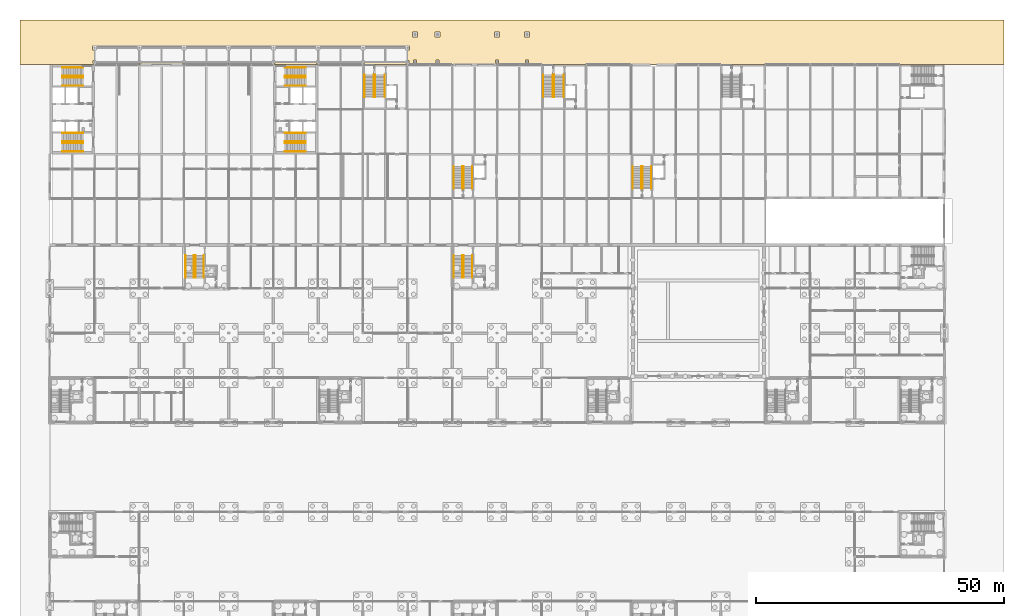
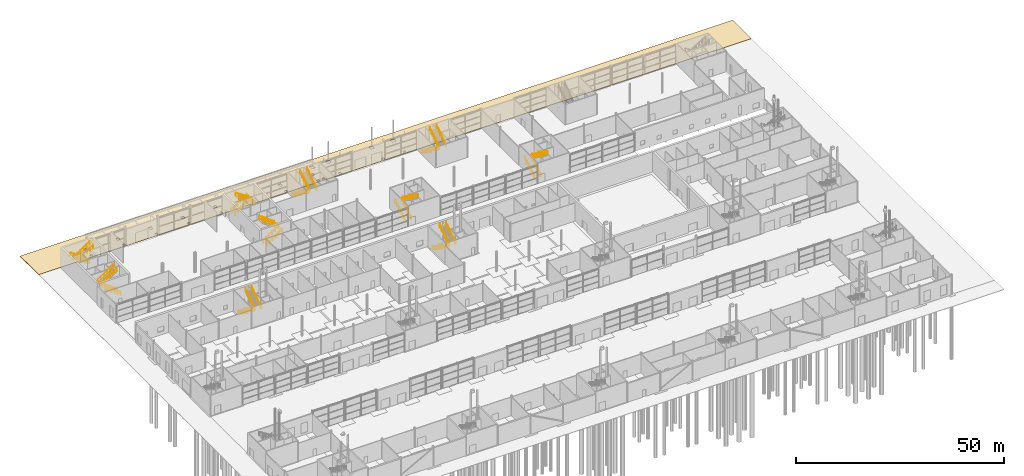
# One storey, part 94 of 97: 40 railings, 1 covering.
"""IFC4 building model written with IfcOpenShell, lengths in metres."""

from ifc_helpers import new_model, si_unit, direction, frame, origin, origin_2d, place, context, subcontext, project, spatial, polyline, circle, outline, extrude, material, layer, layer_set, type_object, element, save


model = new_model("IFC4")

# Units and contexts
model_context = context("Model", 3, precision=1e-05, world=origin(), true_north=direction((0.0, 1.0)))
body_context = subcontext(model_context, "Body", "Model", "MODEL_VIEW")
ifc_project = project(units=[si_unit("LENGTHUNIT", "METRE"), si_unit("AREAUNIT", "SQUARE_METRE"), si_unit("VOLUMEUNIT", "CUBIC_METRE"), si_unit("PLANEANGLEUNIT", "RADIAN"), si_unit("MASSUNIT", "GRAM", prefix="KILO")], contexts=[model_context])

# Site, building, storey
site_placement = place(None, origin())
site = spatial("IfcSite", under=ifc_project, at=site_placement, CompositionType="ELEMENT")
building_placement = place(site_placement, origin())
building = spatial("IfcBuilding", under=site, at=building_placement, Name="Corbel Yard City Hall", CompositionType="ELEMENT")
storey_placement = place(building_placement, origin())
storey = spatial("IfcBuildingStorey", under=building, at=storey_placement, Name="L00", CompositionType="ELEMENT", Elevation=0.0)

# Railings
ifc_material_1 = material(Name="Stainless steel Grade 316", Category="steel")
railing_type = type_object("IfcRailingType", Name="HR1", PredefinedType="HANDRAIL", material=ifc_material_1)
for number, where, name in (
    (1, (27.300048828125, 78.60009765625, 0.176513671875), "Exit stair handrail"),
    (2, (29.0, 78.60009765625, 0.176513671875), "Exit stair handrail"),
):
    element("IfcRailing", number, at=place(storey_placement, frame(where)), inside=storey, type_object=railing_type, Name=name, PredefinedType="HANDRAIL", context=body_context, shape_type="SweptSolid", body=[
        extrude(circle(Radius=0.02392578125, at=origin_2d()), frame((0.0, 0.0, 0.8759765625), z_axis=(0.0, -0.845997938375, 0.533186166611), x_axis=(1.0, 0.0, 0.0)), (0.0, 0.0, 1.0), 5.29541015625),
        extrude(circle(Radius=0.02099609375, at=origin_2d()), origin(), (0.0, 0.0, 1.0), 0.851806640625),
        extrude(circle(Radius=0.02099609375, at=origin_2d()), frame((0.0, -0.89599609375, 0.564697265625)), (0.0, 0.0, 1.0), 0.851806640625),
        extrude(circle(Radius=0.02099609375, at=origin_2d()), frame((0.0, -1.7919921875, 1.12939453125)), (0.0, 0.0, 1.0), 0.851806640625),
        extrude(circle(Radius=0.02099609375, at=origin_2d()), frame((0.0, -2.68798828125, 1.694091796875)), (0.0, 0.0, 1.0), 0.851806640625),
        extrude(circle(Radius=0.02099609375, at=origin_2d()), frame((0.0, -3.583984375, 2.2587890625)), (0.0, 0.0, 1.0), 0.851806640625),
        extrude(circle(Radius=0.02099609375, at=origin_2d()), frame((0.0, -4.47998046875, 2.823486328125)), (0.0, 0.0, 1.0), 0.851806640625),
    ])
for number, where, name in (
    (3, (29.300048828125, 74.1201171875, 3.176513671875), "Exit stair handrail"),
    (4, (31.0, 74.1201171875, 3.176513671875), "Exit stair handrail"),
):
    element("IfcRailing", number, at=place(storey_placement, frame(where)), inside=storey, type_object=railing_type, Name=name, PredefinedType="HANDRAIL", context=body_context, shape_type="SweptSolid", body=[
        extrude(circle(Radius=0.02392578125, at=origin_2d()), frame((0.0, 0.0, 0.8759765625), z_axis=(0.0, 0.845997938375, 0.533186166611), x_axis=(-1.0, 0.0, 0.0)), (0.0, 0.0, 1.0), 5.29541015625),
        extrude(circle(Radius=0.02099609375, at=origin_2d()), origin(), (0.0, 0.0, 1.0), 0.851806640625),
        extrude(circle(Radius=0.02099609375, at=origin_2d()), frame((0.0, 0.89599609375, 0.564697265625)), (0.0, 0.0, 1.0), 0.851806640625),
        extrude(circle(Radius=0.02099609375, at=origin_2d()), frame((0.0, 1.7919921875, 1.12939453125)), (0.0, 0.0, 1.0), 0.851806640625),
        extrude(circle(Radius=0.02099609375, at=origin_2d()), frame((0.0, 2.68798828125, 1.694091796875)), (0.0, 0.0, 1.0), 0.851806640625),
        extrude(circle(Radius=0.02099609375, at=origin_2d()), frame((0.0, 3.583984375, 2.2587890625)), (0.0, 0.0, 1.0), 0.851806640625),
        extrude(circle(Radius=0.02099609375, at=origin_2d()), frame((0.0, 4.47998046875, 2.823486328125)), (0.0, 0.0, 1.0), 0.851806640625),
    ])
for number, where, name in (
    (5, (81.300048828125, 78.60009765625, 0.176513671875), "Exit stair handrail"),
    (6, (83.0, 78.60009765625, 0.176513671875), "Exit stair handrail"),
):
    element("IfcRailing", number, at=place(storey_placement, frame(where)), inside=storey, type_object=railing_type, Name=name, PredefinedType="HANDRAIL", context=body_context, shape_type="SweptSolid", body=[
        extrude(circle(Radius=0.02392578125, at=origin_2d()), frame((0.0, 0.0, 0.8759765625), z_axis=(0.0, -0.845997938375, 0.533186166611), x_axis=(1.0, 0.0, 0.0)), (0.0, 0.0, 1.0), 5.29541015625),
        extrude(circle(Radius=0.02099609375, at=origin_2d()), origin(), (0.0, 0.0, 1.0), 0.851806640625),
        extrude(circle(Radius=0.02099609375, at=origin_2d()), frame((0.0, -0.89599609375, 0.564697265625)), (0.0, 0.0, 1.0), 0.851806640625),
        extrude(circle(Radius=0.02099609375, at=origin_2d()), frame((0.0, -1.7919921875, 1.12939453125)), (0.0, 0.0, 1.0), 0.851806640625),
        extrude(circle(Radius=0.02099609375, at=origin_2d()), frame((0.0, -2.68798828125, 1.694091796875)), (0.0, 0.0, 1.0), 0.851806640625),
        extrude(circle(Radius=0.02099609375, at=origin_2d()), frame((0.0, -3.583984375, 2.2587890625)), (0.0, 0.0, 1.0), 0.851806640625),
        extrude(circle(Radius=0.02099609375, at=origin_2d()), frame((0.0, -4.47998046875, 2.823486328125)), (0.0, 0.0, 1.0), 0.851806640625),
    ])
for number, where, name in (
    (7, (83.300048828125, 74.1201171875, 3.176513671875), "Exit stair handrail"),
    (8, (85.0, 74.1201171875, 3.176513671875), "Exit stair handrail"),
):
    element("IfcRailing", number, at=place(storey_placement, frame(where)), inside=storey, type_object=railing_type, Name=name, PredefinedType="HANDRAIL", context=body_context, shape_type="SweptSolid", body=[
        extrude(circle(Radius=0.02392578125, at=origin_2d()), frame((0.0, 0.0, 0.8759765625), z_axis=(0.0, 0.845997938375, 0.533186166611), x_axis=(-1.0, 0.0, 0.0)), (0.0, 0.0, 1.0), 5.29541015625),
        extrude(circle(Radius=0.02099609375, at=origin_2d()), origin(), (0.0, 0.0, 1.0), 0.851806640625),
        extrude(circle(Radius=0.02099609375, at=origin_2d()), frame((0.0, 0.89599609375, 0.564697265625)), (0.0, 0.0, 1.0), 0.851806640625),
        extrude(circle(Radius=0.02099609375, at=origin_2d()), frame((0.0, 1.7919921875, 1.12939453125)), (0.0, 0.0, 1.0), 0.851806640625),
        extrude(circle(Radius=0.02099609375, at=origin_2d()), frame((0.0, 2.68798828125, 1.694091796875)), (0.0, 0.0, 1.0), 0.851806640625),
        extrude(circle(Radius=0.02099609375, at=origin_2d()), frame((0.0, 3.583984375, 2.2587890625)), (0.0, 0.0, 1.0), 0.851806640625),
        extrude(circle(Radius=0.02099609375, at=origin_2d()), frame((0.0, 4.47998046875, 2.823486328125)), (0.0, 0.0, 1.0), 0.851806640625),
    ])
for number, where, name in (
    (9, (63.300048828125, 114.949951171875, 0.176513671875), "Exit stair handrail"),
    (10, (65.199951171875, 114.949951171875, 0.176513671875), "Exit stair handrail"),
):
    element("IfcRailing", number, at=place(storey_placement, frame(where)), inside=storey, type_object=railing_type, Name=name, PredefinedType="HANDRAIL", context=body_context, shape_type="SweptSolid", body=[
        extrude(circle(Radius=0.02392578125, at=origin_2d()), frame((0.0, 0.0, 0.8759765625), z_axis=(0.0, -0.845997938375, 0.533186166611), x_axis=(1.0, 0.0, 0.0)), (0.0, 0.0, 1.0), 5.29541015625),
        extrude(circle(Radius=0.02099609375, at=origin_2d()), origin(), (0.0, 0.0, 1.0), 0.851806640625),
        extrude(circle(Radius=0.02099609375, at=origin_2d()), frame((0.0, -0.89599609375, 0.564697265625)), (0.0, 0.0, 1.0), 0.851806640625),
        extrude(circle(Radius=0.02099609375, at=origin_2d()), frame((0.0, -1.7919921875, 1.12939453125)), (0.0, 0.0, 1.0), 0.851806640625),
        extrude(circle(Radius=0.02099609375, at=origin_2d()), frame((0.0, -2.68798828125, 1.694091796875)), (0.0, 0.0, 1.0), 0.851806640625),
        extrude(circle(Radius=0.02099609375, at=origin_2d()), frame((0.0, -3.583984375, 2.2587890625)), (0.0, 0.0, 1.0), 0.851806640625),
        extrude(circle(Radius=0.02099609375, at=origin_2d()), frame((0.0, -4.47998046875, 2.823486328125)), (0.0, 0.0, 1.0), 0.851806640625),
    ])
for number, where, name in (
    (11, (65.5, 110.469970703125, 3.176513671875), "Exit stair handrail"),
    (12, (67.39990234375, 110.469970703125, 3.176513671875), "Exit stair handrail"),
):
    element("IfcRailing", number, at=place(storey_placement, frame(where)), inside=storey, type_object=railing_type, Name=name, PredefinedType="HANDRAIL", context=body_context, shape_type="SweptSolid", body=[
        extrude(circle(Radius=0.02392578125, at=origin_2d()), frame((0.0, 0.0, 0.8759765625), z_axis=(0.0, 0.845997938375, 0.533186166611), x_axis=(-1.0, 0.0, 0.0)), (0.0, 0.0, 1.0), 5.29541015625),
        extrude(circle(Radius=0.02099609375, at=origin_2d()), origin(), (0.0, 0.0, 1.0), 0.851806640625),
        extrude(circle(Radius=0.02099609375, at=origin_2d()), frame((0.0, 0.89599609375, 0.564697265625)), (0.0, 0.0, 1.0), 0.851806640625),
        extrude(circle(Radius=0.02099609375, at=origin_2d()), frame((0.0, 1.7919921875, 1.12939453125)), (0.0, 0.0, 1.0), 0.851806640625),
        extrude(circle(Radius=0.02099609375, at=origin_2d()), frame((0.0, 2.68798828125, 1.694091796875)), (0.0, 0.0, 1.0), 0.851806640625),
        extrude(circle(Radius=0.02099609375, at=origin_2d()), frame((0.0, 3.583984375, 2.2587890625)), (0.0, 0.0, 1.0), 0.851806640625),
        extrude(circle(Radius=0.02099609375, at=origin_2d()), frame((0.0, 4.47998046875, 2.823486328125)), (0.0, 0.0, 1.0), 0.851806640625),
    ])
for number, where, name in (
    (13, (99.300048828125, 114.949951171875, 0.176513671875), "Exit stair handrail"),
    (14, (101.199951171875, 114.949951171875, 0.176513671875), "Exit stair handrail"),
):
    element("IfcRailing", number, at=place(storey_placement, frame(where)), inside=storey, type_object=railing_type, Name=name, PredefinedType="HANDRAIL", context=body_context, shape_type="SweptSolid", body=[
        extrude(circle(Radius=0.02392578125, at=origin_2d()), frame((0.0, 0.0, 0.8759765625), z_axis=(0.0, -0.845997938375, 0.533186166611), x_axis=(1.0, 0.0, 0.0)), (0.0, 0.0, 1.0), 5.29541015625),
        extrude(circle(Radius=0.02099609375, at=origin_2d()), origin(), (0.0, 0.0, 1.0), 0.851806640625),
        extrude(circle(Radius=0.02099609375, at=origin_2d()), frame((0.0, -0.89599609375, 0.564697265625)), (0.0, 0.0, 1.0), 0.851806640625),
        extrude(circle(Radius=0.02099609375, at=origin_2d()), frame((0.0, -1.7919921875, 1.12939453125)), (0.0, 0.0, 1.0), 0.851806640625),
        extrude(circle(Radius=0.02099609375, at=origin_2d()), frame((0.0, -2.68798828125, 1.694091796875)), (0.0, 0.0, 1.0), 0.851806640625),
        extrude(circle(Radius=0.02099609375, at=origin_2d()), frame((0.0, -3.583984375, 2.2587890625)), (0.0, 0.0, 1.0), 0.851806640625),
        extrude(circle(Radius=0.02099609375, at=origin_2d()), frame((0.0, -4.47998046875, 2.823486328125)), (0.0, 0.0, 1.0), 0.851806640625),
    ])
for number, where, name in (
    (15, (101.5, 110.469970703125, 3.176513671875), "Exit stair handrail"),
    (16, (103.39990234375, 110.469970703125, 3.176513671875), "Exit stair handrail"),
    (17, (81.300048828125, 92.050048828125, 0.176513671875), "Exit stair handrail"),
    (18, (83.0, 92.050048828125, 0.176513671875), "Exit stair handrail"),
):
    element("IfcRailing", number, at=place(storey_placement, frame(where)), inside=storey, type_object=railing_type, Name=name, PredefinedType="HANDRAIL", context=body_context, shape_type="SweptSolid", body=[
        extrude(circle(Radius=0.02392578125, at=origin_2d()), frame((0.0, 0.0, 0.8759765625), z_axis=(0.0, 0.845997938375, 0.533186166611), x_axis=(-1.0, 0.0, 0.0)), (0.0, 0.0, 1.0), 5.29541015625),
        extrude(circle(Radius=0.02099609375, at=origin_2d()), origin(), (0.0, 0.0, 1.0), 0.851806640625),
        extrude(circle(Radius=0.02099609375, at=origin_2d()), frame((0.0, 0.89599609375, 0.564697265625)), (0.0, 0.0, 1.0), 0.851806640625),
        extrude(circle(Radius=0.02099609375, at=origin_2d()), frame((0.0, 1.7919921875, 1.12939453125)), (0.0, 0.0, 1.0), 0.851806640625),
        extrude(circle(Radius=0.02099609375, at=origin_2d()), frame((0.0, 2.68798828125, 1.694091796875)), (0.0, 0.0, 1.0), 0.851806640625),
        extrude(circle(Radius=0.02099609375, at=origin_2d()), frame((0.0, 3.583984375, 2.2587890625)), (0.0, 0.0, 1.0), 0.851806640625),
        extrude(circle(Radius=0.02099609375, at=origin_2d()), frame((0.0, 4.47998046875, 2.823486328125)), (0.0, 0.0, 1.0), 0.851806640625),
    ])
for number, where, name in (
    (19, (83.300048828125, 96.530029296875, 3.176513671875), "Exit stair handrail"),
    (20, (85.0, 96.530029296875, 3.176513671875), "Exit stair handrail"),
):
    element("IfcRailing", number, at=place(storey_placement, frame(where)), inside=storey, type_object=railing_type, Name=name, PredefinedType="HANDRAIL", context=body_context, shape_type="SweptSolid", body=[
        extrude(circle(Radius=0.02392578125, at=origin_2d()), frame((0.0, 0.0, 0.8759765625), z_axis=(0.0, -0.845997938375, 0.533186166611), x_axis=(1.0, 0.0, 0.0)), (0.0, 0.0, 1.0), 5.29541015625),
        extrude(circle(Radius=0.02099609375, at=origin_2d()), origin(), (0.0, 0.0, 1.0), 0.851806640625),
        extrude(circle(Radius=0.02099609375, at=origin_2d()), frame((0.0, -0.89599609375, 0.564697265625)), (0.0, 0.0, 1.0), 0.851806640625),
        extrude(circle(Radius=0.02099609375, at=origin_2d()), frame((0.0, -1.7919921875, 1.12939453125)), (0.0, 0.0, 1.0), 0.851806640625),
        extrude(circle(Radius=0.02099609375, at=origin_2d()), frame((0.0, -2.68798828125, 1.694091796875)), (0.0, 0.0, 1.0), 0.851806640625),
        extrude(circle(Radius=0.02099609375, at=origin_2d()), frame((0.0, -3.583984375, 2.2587890625)), (0.0, 0.0, 1.0), 0.851806640625),
        extrude(circle(Radius=0.02099609375, at=origin_2d()), frame((0.0, -4.47998046875, 2.823486328125)), (0.0, 0.0, 1.0), 0.851806640625),
    ])
for number, where, name in (
    (21, (117.300048828125, 92.050048828125, 0.176513671875), "Exit stair handrail"),
    (22, (119.0, 92.050048828125, 0.176513671875), "Exit stair handrail"),
):
    element("IfcRailing", number, at=place(storey_placement, frame(where)), inside=storey, type_object=railing_type, Name=name, PredefinedType="HANDRAIL", context=body_context, shape_type="SweptSolid", body=[
        extrude(circle(Radius=0.02392578125, at=origin_2d()), frame((0.0, 0.0, 0.8759765625), z_axis=(0.0, 0.845997938375, 0.533186166611), x_axis=(-1.0, 0.0, 0.0)), (0.0, 0.0, 1.0), 5.29541015625),
        extrude(circle(Radius=0.02099609375, at=origin_2d()), origin(), (0.0, 0.0, 1.0), 0.851806640625),
        extrude(circle(Radius=0.02099609375, at=origin_2d()), frame((0.0, 0.89599609375, 0.564697265625)), (0.0, 0.0, 1.0), 0.851806640625),
        extrude(circle(Radius=0.02099609375, at=origin_2d()), frame((0.0, 1.7919921875, 1.12939453125)), (0.0, 0.0, 1.0), 0.851806640625),
        extrude(circle(Radius=0.02099609375, at=origin_2d()), frame((0.0, 2.68798828125, 1.694091796875)), (0.0, 0.0, 1.0), 0.851806640625),
        extrude(circle(Radius=0.02099609375, at=origin_2d()), frame((0.0, 3.583984375, 2.2587890625)), (0.0, 0.0, 1.0), 0.851806640625),
        extrude(circle(Radius=0.02099609375, at=origin_2d()), frame((0.0, 4.47998046875, 2.823486328125)), (0.0, 0.0, 1.0), 0.851806640625),
    ])
for number, where, name in (
    (23, (119.300048828125, 96.530029296875, 3.176513671875), "Exit stair handrail"),
    (24, (121.0, 96.530029296875, 3.176513671875), "Exit stair handrail"),
):
    element("IfcRailing", number, at=place(storey_placement, frame(where)), inside=storey, type_object=railing_type, Name=name, PredefinedType="HANDRAIL", context=body_context, shape_type="SweptSolid", body=[
        extrude(circle(Radius=0.02392578125, at=origin_2d()), frame((0.0, 0.0, 0.8759765625), z_axis=(0.0, -0.845997938375, 0.533186166611), x_axis=(1.0, 0.0, 0.0)), (0.0, 0.0, 1.0), 5.29541015625),
        extrude(circle(Radius=0.02099609375, at=origin_2d()), origin(), (0.0, 0.0, 1.0), 0.851806640625),
        extrude(circle(Radius=0.02099609375, at=origin_2d()), frame((0.0, -0.89599609375, 0.564697265625)), (0.0, 0.0, 1.0), 0.851806640625),
        extrude(circle(Radius=0.02099609375, at=origin_2d()), frame((0.0, -1.7919921875, 1.12939453125)), (0.0, 0.0, 1.0), 0.851806640625),
        extrude(circle(Radius=0.02099609375, at=origin_2d()), frame((0.0, -2.68798828125, 1.694091796875)), (0.0, 0.0, 1.0), 0.851806640625),
        extrude(circle(Radius=0.02099609375, at=origin_2d()), frame((0.0, -3.583984375, 2.2587890625)), (0.0, 0.0, 1.0), 0.851806640625),
        extrude(circle(Radius=0.02099609375, at=origin_2d()), frame((0.0, -4.47998046875, 2.823486328125)), (0.0, 0.0, 1.0), 0.851806640625),
    ])
for number, where, name in (
    (25, (6.699951171875, 99.550048828125, 0.1875), "Exit stair ST-W1 handrail"),
    (26, (6.699951171875, 101.25, 0.1875), "Exit stair ST-W1 handrail"),
):
    element("IfcRailing", number, at=place(storey_placement, frame(where)), inside=storey, type_object=railing_type, Name=name, PredefinedType="HANDRAIL", context=body_context, shape_type="SweptSolid", body=[
        extrude(circle(Radius=0.02392578125, at=origin_2d()), frame((0.0, 0.0, 0.8759765625), z_axis=(-0.830904186295, 0.0, 0.556415522067), x_axis=(0.0, -1.0, 0.0)), (0.0, 0.0, 1.0), 5.0546875),
        extrude(circle(Radius=0.02099609375, at=origin_2d()), origin(), (0.0, 0.0, 1.0), 0.851806640625),
        extrude(circle(Radius=0.02099609375, at=origin_2d()), frame((-0.840087890625, 0.0, 0.5625)), (0.0, 0.0, 1.0), 0.851806640625),
        extrude(circle(Radius=0.02099609375, at=origin_2d()), frame((-1.679931640625, 0.0, 1.125)), (0.0, 0.0, 1.0), 0.851806640625),
        extrude(circle(Radius=0.02099609375, at=origin_2d()), frame((-2.52001953125, 0.0, 1.6875)), (0.0, 0.0, 1.0), 0.851806640625),
        extrude(circle(Radius=0.02099609375, at=origin_2d()), frame((-3.35986328125, 0.0, 2.25)), (0.0, 0.0, 1.0), 0.851806640625),
        extrude(circle(Radius=0.02099609375, at=origin_2d()), frame((-4.199951171875, 0.0, 2.8125)), (0.0, 0.0, 1.0), 0.851806640625),
    ])
for number, where, name in (
    (27, (2.5, 101.550048828125, 3.1875), "Exit stair ST-W1 handrail"),
    (28, (2.5, 103.25, 3.1875), "Exit stair ST-W1 handrail"),
):
    element("IfcRailing", number, at=place(storey_placement, frame(where)), inside=storey, type_object=railing_type, Name=name, PredefinedType="HANDRAIL", context=body_context, shape_type="SweptSolid", body=[
        extrude(circle(Radius=0.02392578125, at=origin_2d()), frame((0.0, 0.0, 0.8759765625), z_axis=(0.830904186295, 0.0, 0.556415522067), x_axis=(0.0, 1.0, 0.0)), (0.0, 0.0, 1.0), 5.0546875),
        extrude(circle(Radius=0.02099609375, at=origin_2d()), origin(), (0.0, 0.0, 1.0), 0.851806640625),
        extrude(circle(Radius=0.02099609375, at=origin_2d()), frame((0.840087890625, 0.0, 0.5625)), (0.0, 0.0, 1.0), 0.851806640625),
        extrude(circle(Radius=0.02099609375, at=origin_2d()), frame((1.679931640625, 0.0, 1.125)), (0.0, 0.0, 1.0), 0.851806640625),
        extrude(circle(Radius=0.02099609375, at=origin_2d()), frame((2.52001953125, 0.0, 1.6875)), (0.0, 0.0, 1.0), 0.851806640625),
        extrude(circle(Radius=0.02099609375, at=origin_2d()), frame((3.35986328125, 0.0, 2.25)), (0.0, 0.0, 1.0), 0.851806640625),
        extrude(circle(Radius=0.02099609375, at=origin_2d()), frame((4.199951171875, 0.0, 2.8125)), (0.0, 0.0, 1.0), 0.851806640625),
    ])
for number, where, name in (
    (29, (6.699951171875, 116.449951171875, 0.1875), "Exit stair ST-W2 handrail"),
    (30, (6.699951171875, 114.75, 0.1875), "Exit stair ST-W2 handrail"),
):
    element("IfcRailing", number, at=place(storey_placement, frame(where)), inside=storey, type_object=railing_type, Name=name, PredefinedType="HANDRAIL", context=body_context, shape_type="SweptSolid", body=[
        extrude(circle(Radius=0.02392578125, at=origin_2d()), frame((0.0, 0.0, 0.8759765625), z_axis=(-0.830904186295, 0.0, 0.556415522067), x_axis=(0.0, -1.0, 0.0)), (0.0, 0.0, 1.0), 5.0546875),
        extrude(circle(Radius=0.02099609375, at=origin_2d()), origin(), (0.0, 0.0, 1.0), 0.851806640625),
        extrude(circle(Radius=0.02099609375, at=origin_2d()), frame((-0.840087890625, 0.0, 0.5625)), (0.0, 0.0, 1.0), 0.851806640625),
        extrude(circle(Radius=0.02099609375, at=origin_2d()), frame((-1.679931640625, 0.0, 1.125)), (0.0, 0.0, 1.0), 0.851806640625),
        extrude(circle(Radius=0.02099609375, at=origin_2d()), frame((-2.52001953125, 0.0, 1.6875)), (0.0, 0.0, 1.0), 0.851806640625),
        extrude(circle(Radius=0.02099609375, at=origin_2d()), frame((-3.35986328125, 0.0, 2.25)), (0.0, 0.0, 1.0), 0.851806640625),
        extrude(circle(Radius=0.02099609375, at=origin_2d()), frame((-4.199951171875, 0.0, 2.8125)), (0.0, 0.0, 1.0), 0.851806640625),
    ])
for number, where, name in (
    (31, (2.5, 114.449951171875, 3.1875), "Exit stair ST-W2 handrail"),
    (32, (2.5, 112.75, 3.1875), "Exit stair ST-W2 handrail"),
    (33, (47.300048828125, 99.550048828125, 0.1875), "Exit stair ST-E1 handrail"),
    (34, (47.300048828125, 101.25, 0.1875), "Exit stair ST-E1 handrail"),
):
    element("IfcRailing", number, at=place(storey_placement, frame(where)), inside=storey, type_object=railing_type, Name=name, PredefinedType="HANDRAIL", context=body_context, shape_type="SweptSolid", body=[
        extrude(circle(Radius=0.02392578125, at=origin_2d()), frame((0.0, 0.0, 0.8759765625), z_axis=(0.830904186295, 0.0, 0.556415522067), x_axis=(0.0, 1.0, 0.0)), (0.0, 0.0, 1.0), 5.0546875),
        extrude(circle(Radius=0.02099609375, at=origin_2d()), origin(), (0.0, 0.0, 1.0), 0.851806640625),
        extrude(circle(Radius=0.02099609375, at=origin_2d()), frame((0.840087890625, 0.0, 0.5625)), (0.0, 0.0, 1.0), 0.851806640625),
        extrude(circle(Radius=0.02099609375, at=origin_2d()), frame((1.679931640625, 0.0, 1.125)), (0.0, 0.0, 1.0), 0.851806640625),
        extrude(circle(Radius=0.02099609375, at=origin_2d()), frame((2.52001953125, 0.0, 1.6875)), (0.0, 0.0, 1.0), 0.851806640625),
        extrude(circle(Radius=0.02099609375, at=origin_2d()), frame((3.35986328125, 0.0, 2.25)), (0.0, 0.0, 1.0), 0.851806640625),
        extrude(circle(Radius=0.02099609375, at=origin_2d()), frame((4.199951171875, 0.0, 2.8125)), (0.0, 0.0, 1.0), 0.851806640625),
    ])
for number, where, name in (
    (35, (51.5, 101.550048828125, 3.1875), "Exit stair ST-E1 handrail"),
    (36, (51.5, 103.25, 3.1875), "Exit stair ST-E1 handrail"),
):
    element("IfcRailing", number, at=place(storey_placement, frame(where)), inside=storey, type_object=railing_type, Name=name, PredefinedType="HANDRAIL", context=body_context, shape_type="SweptSolid", body=[
        extrude(circle(Radius=0.02392578125, at=origin_2d()), frame((0.0, 0.0, 0.8759765625), z_axis=(-0.830904186295, 0.0, 0.556415522067), x_axis=(0.0, -1.0, 0.0)), (0.0, 0.0, 1.0), 5.0546875),
        extrude(circle(Radius=0.02099609375, at=origin_2d()), origin(), (0.0, 0.0, 1.0), 0.851806640625),
        extrude(circle(Radius=0.02099609375, at=origin_2d()), frame((-0.840087890625, 0.0, 0.5625)), (0.0, 0.0, 1.0), 0.851806640625),
        extrude(circle(Radius=0.02099609375, at=origin_2d()), frame((-1.679931640625, 0.0, 1.125)), (0.0, 0.0, 1.0), 0.851806640625),
        extrude(circle(Radius=0.02099609375, at=origin_2d()), frame((-2.52001953125, 0.0, 1.6875)), (0.0, 0.0, 1.0), 0.851806640625),
        extrude(circle(Radius=0.02099609375, at=origin_2d()), frame((-3.35986328125, 0.0, 2.25)), (0.0, 0.0, 1.0), 0.851806640625),
        extrude(circle(Radius=0.02099609375, at=origin_2d()), frame((-4.199951171875, 0.0, 2.8125)), (0.0, 0.0, 1.0), 0.851806640625),
    ])
for number, where, name in (
    (37, (47.300048828125, 116.449951171875, 0.1875), "Exit stair ST-E2 handrail"),
    (38, (47.300048828125, 114.75, 0.1875), "Exit stair ST-E2 handrail"),
):
    element("IfcRailing", number, at=place(storey_placement, frame(where)), inside=storey, type_object=railing_type, Name=name, PredefinedType="HANDRAIL", context=body_context, shape_type="SweptSolid", body=[
        extrude(circle(Radius=0.02392578125, at=origin_2d()), frame((0.0, 0.0, 0.8759765625), z_axis=(0.830904186295, 0.0, 0.556415522067), x_axis=(0.0, 1.0, 0.0)), (0.0, 0.0, 1.0), 5.0546875),
        extrude(circle(Radius=0.02099609375, at=origin_2d()), origin(), (0.0, 0.0, 1.0), 0.851806640625),
        extrude(circle(Radius=0.02099609375, at=origin_2d()), frame((0.840087890625, 0.0, 0.5625)), (0.0, 0.0, 1.0), 0.851806640625),
        extrude(circle(Radius=0.02099609375, at=origin_2d()), frame((1.679931640625, 0.0, 1.125)), (0.0, 0.0, 1.0), 0.851806640625),
        extrude(circle(Radius=0.02099609375, at=origin_2d()), frame((2.52001953125, 0.0, 1.6875)), (0.0, 0.0, 1.0), 0.851806640625),
        extrude(circle(Radius=0.02099609375, at=origin_2d()), frame((3.35986328125, 0.0, 2.25)), (0.0, 0.0, 1.0), 0.851806640625),
        extrude(circle(Radius=0.02099609375, at=origin_2d()), frame((4.199951171875, 0.0, 2.8125)), (0.0, 0.0, 1.0), 0.851806640625),
    ])
for number, where, name in (
    (39, (51.5, 114.449951171875, 3.1875), "Exit stair ST-E2 handrail"),
    (40, (51.5, 112.75, 3.1875), "Exit stair ST-E2 handrail"),
):
    element("IfcRailing", number, at=place(storey_placement, frame(where)), inside=storey, type_object=railing_type, Name=name, PredefinedType="HANDRAIL", context=body_context, shape_type="SweptSolid", body=[
        extrude(circle(Radius=0.02392578125, at=origin_2d()), frame((0.0, 0.0, 0.8759765625), z_axis=(-0.830904186295, 0.0, 0.556415522067), x_axis=(0.0, -1.0, 0.0)), (0.0, 0.0, 1.0), 5.0546875),
        extrude(circle(Radius=0.02099609375, at=origin_2d()), origin(), (0.0, 0.0, 1.0), 0.851806640625),
        extrude(circle(Radius=0.02099609375, at=origin_2d()), frame((-0.840087890625, 0.0, 0.5625)), (0.0, 0.0, 1.0), 0.851806640625),
        extrude(circle(Radius=0.02099609375, at=origin_2d()), frame((-1.679931640625, 0.0, 1.125)), (0.0, 0.0, 1.0), 0.851806640625),
        extrude(circle(Radius=0.02099609375, at=origin_2d()), frame((-2.52001953125, 0.0, 1.6875)), (0.0, 0.0, 1.0), 0.851806640625),
        extrude(circle(Radius=0.02099609375, at=origin_2d()), frame((-3.35986328125, 0.0, 2.25)), (0.0, 0.0, 1.0), 0.851806640625),
        extrude(circle(Radius=0.02099609375, at=origin_2d()), frame((-4.199951171875, 0.0, 2.8125)), (0.0, 0.0, 1.0), 0.851806640625),
    ])

# Covering
ifc_material_2 = material(Name="Concrete N40 (40 MPa)", Category="concrete")
ifc_layer = layer(ifc_material_2, 0.14990234375)
ifc_layer_set = layer_set([ifc_layer], Name="Concrete N40 (40 MPa)")
covering_type = type_object("IfcCoveringType", Name="PV1", PredefinedType="USERDEFINED", material=ifc_layer_set)
covering_placement = place(storey_placement, frame((0.0, 0.0, -0.14990234375)))
element("IfcCovering", 41, at=covering_placement, inside=storey, type_object=covering_type, Name="North footpath paving", ObjectType="PAVING", PredefinedType="USERDEFINED", context=body_context, shape_type="SweptSolid", body=[
    extrude(outline(polyline([(-6.0, 117.0), (192.0, 117.0), (192.0, 126.0), (-6.0, 126.0), (-6.0, 117.0)]), holes=[polyline([(8.699951171875, 117.25), (9.300048828125, 117.25), (9.300048828125, 117.85009765625), (8.699951171875, 117.85009765625), (8.699951171875, 117.25)]), polyline([(17.699951171875, 117.25), (18.300048828125, 117.25), (18.300048828125, 117.85009765625), (17.699951171875, 117.85009765625), (17.699951171875, 117.25)]), polyline([(26.699951171875, 117.25), (27.300048828125, 117.25), (27.300048828125, 117.85009765625), (26.699951171875, 117.85009765625), (26.699951171875, 117.25)]), polyline([(35.699951171875, 117.25), (36.300048828125, 117.25), (36.300048828125, 117.85009765625), (35.699951171875, 117.85009765625), (35.699951171875, 117.25)]), polyline([(44.699951171875, 117.25), (45.300048828125, 117.25), (45.300048828125, 117.85009765625), (44.699951171875, 117.85009765625), (44.699951171875, 117.25)]), polyline([(53.699951171875, 117.25), (54.300048828125, 117.25), (54.300048828125, 117.85009765625), (53.699951171875, 117.85009765625), (53.699951171875, 117.25)]), polyline([(62.699951171875, 117.25), (63.300048828125, 117.25), (63.300048828125, 117.85009765625), (62.699951171875, 117.85009765625), (62.699951171875, 117.25)]), polyline([(71.699951171875, 117.25), (72.300048828125, 117.25), (72.300048828125, 117.85009765625), (71.699951171875, 117.85009765625), (71.699951171875, 117.25)]), polyline([(8.60009765625, 120.0), (9.39990234375, 120.0), (9.39990234375, 120.800048828125), (8.60009765625, 120.800048828125), (8.60009765625, 120.0)]), polyline([(17.60009765625, 120.0), (18.39990234375, 120.0), (18.39990234375, 120.800048828125), (17.60009765625, 120.800048828125), (17.60009765625, 120.0)]), polyline([(26.60009765625, 120.0), (27.39990234375, 120.0), (27.39990234375, 120.800048828125), (26.60009765625, 120.800048828125), (26.60009765625, 120.0)]), polyline([(35.60009765625, 120.0), (36.39990234375, 120.0), (36.39990234375, 120.800048828125), (35.60009765625, 120.800048828125), (35.60009765625, 120.0)]), polyline([(44.60009765625, 120.0), (45.39990234375, 120.0), (45.39990234375, 120.800048828125), (44.60009765625, 120.800048828125), (44.60009765625, 120.0)]), polyline([(53.60009765625, 120.0), (54.39990234375, 120.0), (54.39990234375, 120.800048828125), (53.60009765625, 120.800048828125), (53.60009765625, 120.0)]), polyline([(62.60009765625, 120.0), (63.39990234375, 120.0), (63.39990234375, 120.800048828125), (62.60009765625, 120.800048828125), (62.60009765625, 120.0)]), polyline([(71.60009765625, 120.0), (72.39990234375, 120.0), (72.39990234375, 120.800048828125), (71.60009765625, 120.800048828125), (71.60009765625, 120.0)]), polyline([(73.199951171875, 117.35009765625), (73.800048828125, 117.35009765625), (73.800048828125, 117.949951171875), (73.199951171875, 117.949951171875), (73.199951171875, 117.35009765625)]), polyline([(77.699951171875, 117.35009765625), (78.300048828125, 117.35009765625), (78.300048828125, 117.949951171875), (77.699951171875, 117.949951171875), (77.699951171875, 117.35009765625)]), polyline([(89.699951171875, 117.35009765625), (90.300048828125, 117.35009765625), (90.300048828125, 117.949951171875), (89.699951171875, 117.949951171875), (89.699951171875, 117.35009765625)]), polyline([(95.699951171875, 117.35009765625), (96.300048828125, 117.35009765625), (96.300048828125, 117.949951171875), (95.699951171875, 117.949951171875), (95.699951171875, 117.35009765625)]), polyline([(73.0, 122.60009765625), (74.0, 122.60009765625), (74.0, 123.60009765625), (73.0, 123.60009765625), (73.0, 122.60009765625)]), polyline([(77.5, 122.60009765625), (78.5, 122.60009765625), (78.5, 123.60009765625), (77.5, 123.60009765625), (77.5, 122.60009765625)]), polyline([(89.5, 122.60009765625), (90.5, 122.60009765625), (90.5, 123.60009765625), (89.5, 123.60009765625), (89.5, 122.60009765625)]), polyline([(95.5, 122.60009765625), (96.5, 122.60009765625), (96.5, 123.60009765625), (95.5, 123.60009765625), (95.5, 122.60009765625)])]), origin(), (0.0, 0.0, 1.0), 0.14990234375),
])

save(model, "model.ifc")
